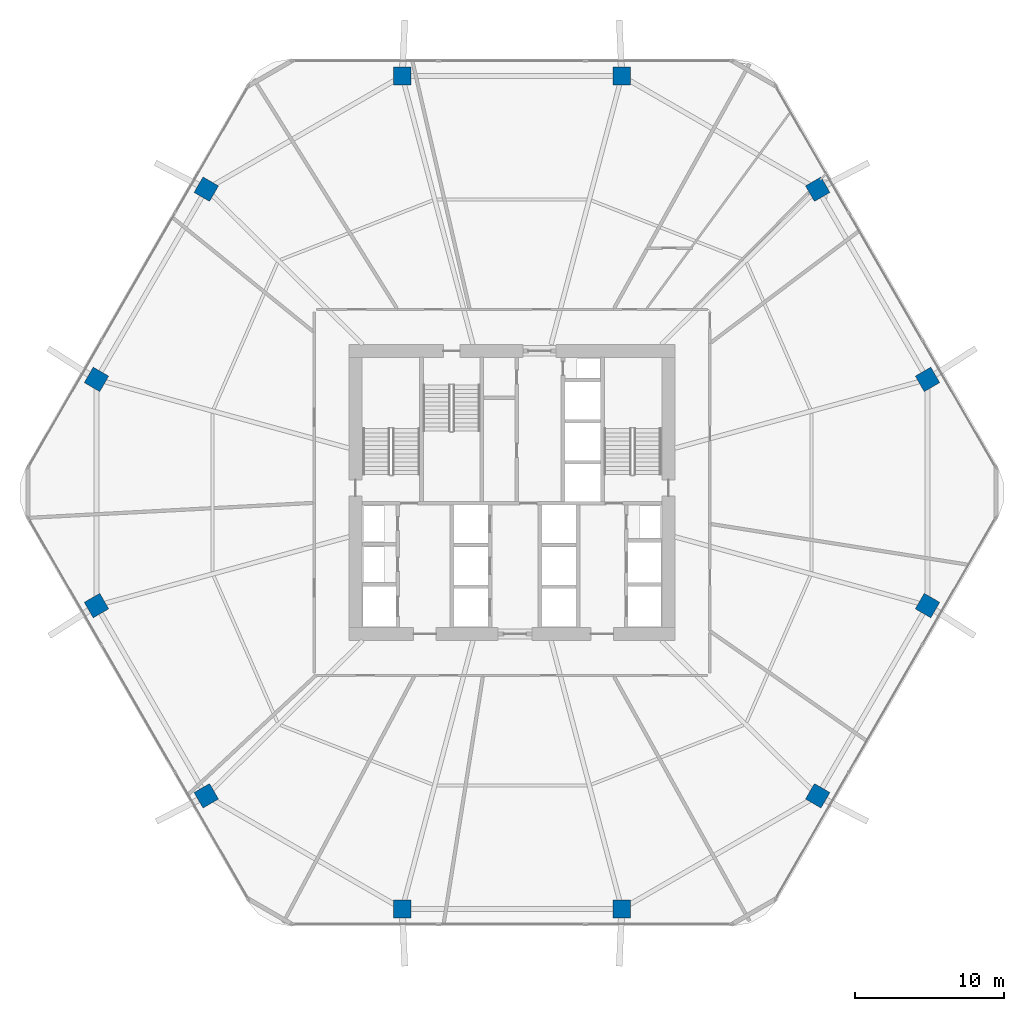
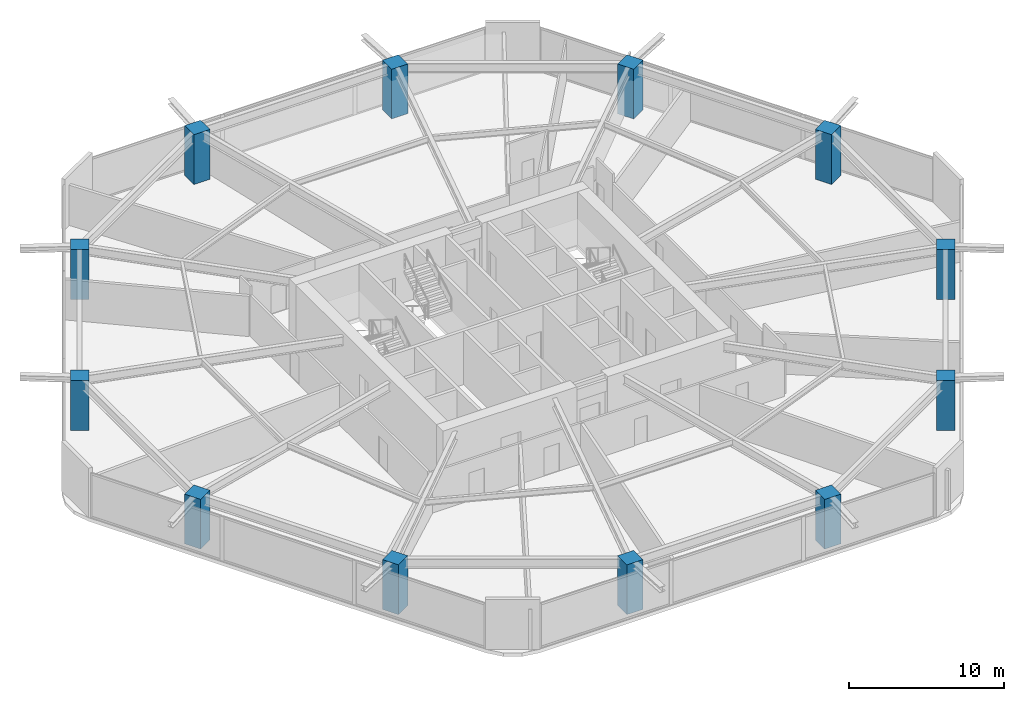
# One storey, part 1 of 26: 12 columns.
"""IFC4 building model written with IfcOpenShell, lengths in metres."""

from ifc_helpers import new_model, si_unit, direction, frame, origin, origin_2d, place, context, subcontext, project, spatial, rectangle, extrude, material, material_profile, profile_set, type_object, element, save


model = new_model("IFC4")

# Units and contexts
model_context = context("Model", 3, precision=1e-05, world=origin(), true_north=direction((0.0, 1.0)))
body_context = subcontext(model_context, "Body", "Model", "MODEL_VIEW")
ifc_project = project(units=[si_unit("LENGTHUNIT", "METRE"), si_unit("AREAUNIT", "SQUARE_METRE"), si_unit("VOLUMEUNIT", "CUBIC_METRE"), si_unit("PLANEANGLEUNIT", "RADIAN"), si_unit("MASSUNIT", "GRAM", prefix="KILO")], contexts=[model_context])

# Site, building, storey
site_placement = place(None, origin())
site = spatial("IfcSite", under=ifc_project, at=site_placement, CompositionType="ELEMENT")
building_placement = place(site_placement, origin())
building = spatial("IfcBuilding", under=site, at=building_placement, Name="Zuhravey Tower", CompositionType="ELEMENT")
storey_placement = place(building_placement, frame((0.0, 0.0, 28.800048828125)))
storey = spatial("IfcBuildingStorey", under=building, at=storey_placement, Name="L07", CompositionType="ELEMENT", Elevation=28.800048828125)

# Columns
ifc_material = material(Name="Concrete C60/75", Category="concrete")
ifc_material_profile = material_profile(ifc_material, rectangle(XDim=1.199951171875, YDim=1.199951171875, at=origin_2d()), Name="RC-1200x1200")
ifc_profile_set = profile_set([ifc_material_profile], Name="Concrete C60/75")
column_type = type_object("IfcColumnType", Name="Zone 1 Perimeter Column 1200x1200", PredefinedType="COLUMN", material=ifc_profile_set)
for number, where, z_axis, x_axis, name in (
    (1, (63.88916015625, 39.591552734375, 0.0), (0.0, 0.0, 1.0), (-0.5, 0.866025403784, 0.0), "L07 Perimeter Column PC01"),
    (2, (56.51904296875, 52.35693359375, 0.0), (0.0, 0.0, 1.0), (-0.5, 0.866025403784, 0.0), "L07 Perimeter Column PC02"),
    (3, (43.3701171875, 59.948486328125, 0.0), (0.0, 0.0, 1.0), (-1.0, 0.0, 0.0), "L07 Perimeter Column PC03"),
    (4, (28.6298828125, 59.948486328125, 0.0), (0.0, 0.0, 1.0), (-1.0, 0.0, 0.0), "L07 Perimeter Column PC04"),
    (5, (15.48095703125, 52.35693359375, 0.0), (0.0, 0.0, 1.0), (-0.5, -0.866025403784, 0.0), "L07 Perimeter Column PC05"),
    (6, (8.11083984375, 39.591552734375, 0.0), (0.0, 0.0, 1.0), (-0.5, -0.866025403784, 0.0), "L07 Perimeter Column PC06"),
    (7, (8.11083984375, 24.408447265625, 0.0), (0.0, 0.0, 1.0), (0.5, -0.866025403784, 0.0), "L07 Perimeter Column PC07"),
    (8, (15.48095703125, 11.64306640625, 0.0), (0.0, 0.0, 1.0), (0.5, -0.866025403784, 0.0), "L07 Perimeter Column PC08"),
    (9, (28.6298828125, 4.051513671875, 0.0), (0.0, 0.0, 1.0), (1.0, 0.0, 0.0), "L07 Perimeter Column PC09"),
    (10, (43.3701171875, 4.051513671875, 0.0), (0.0, 0.0, 1.0), (1.0, 0.0, 0.0), "L07 Perimeter Column PC10"),
    (11, (56.51904296875, 11.64306640625, 0.0), (0.0, 0.0, 1.0), (0.5, 0.866025403784, 0.0), "L07 Perimeter Column PC11"),
    (12, (63.88916015625, 24.408447265625, 0.0), (0.0, 0.0, 1.0), (0.5, 0.866025403784, 0.0), "L07 Perimeter Column PC12"),
):
    element("IfcColumn", number, at=place(storey_placement, frame(where, z_axis=z_axis, x_axis=x_axis)), inside=storey, type_object=column_type, Name=name, PredefinedType="COLUMN", context=body_context, shape_type="SweptSolid", body=[
        extrude(rectangle(XDim=1.199951171875, YDim=1.199951171875, at=origin_2d()), origin(), (0.0, 0.0, 1.0), 3.919921875),
    ])

save(model, "model.ifc")
